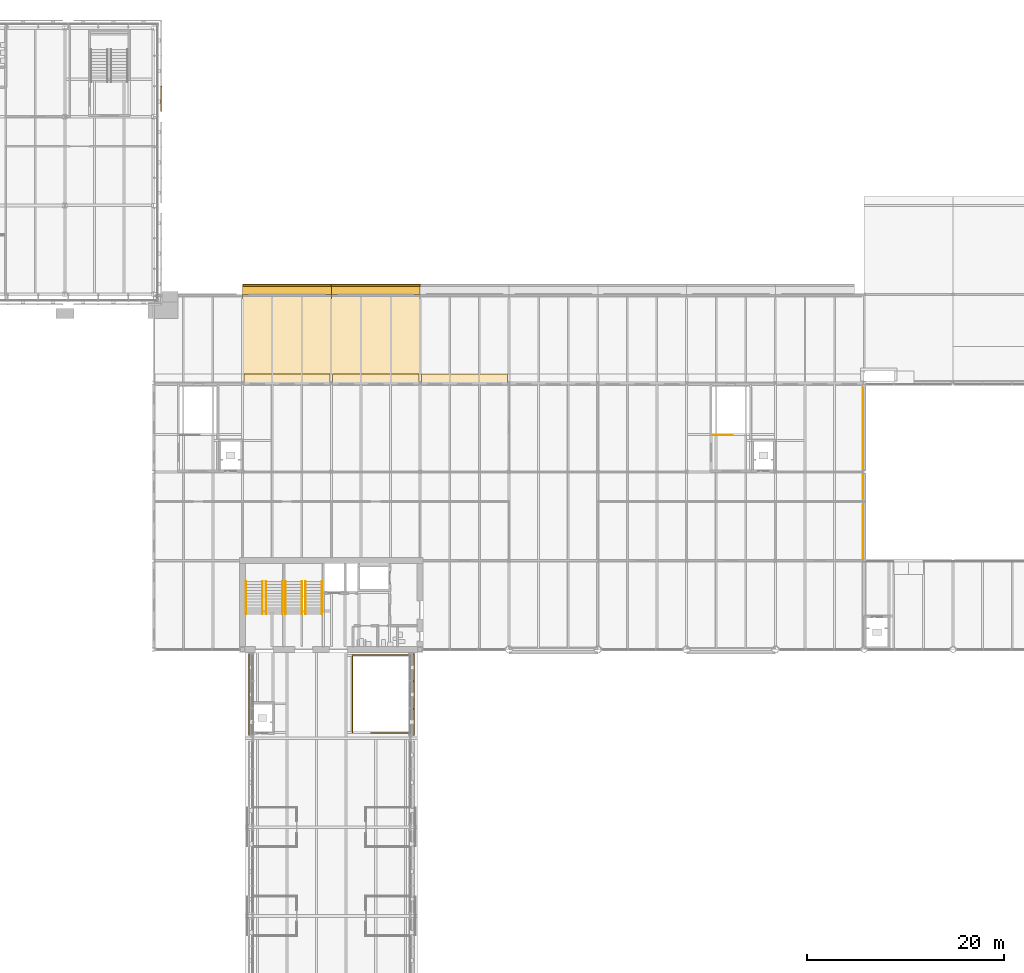
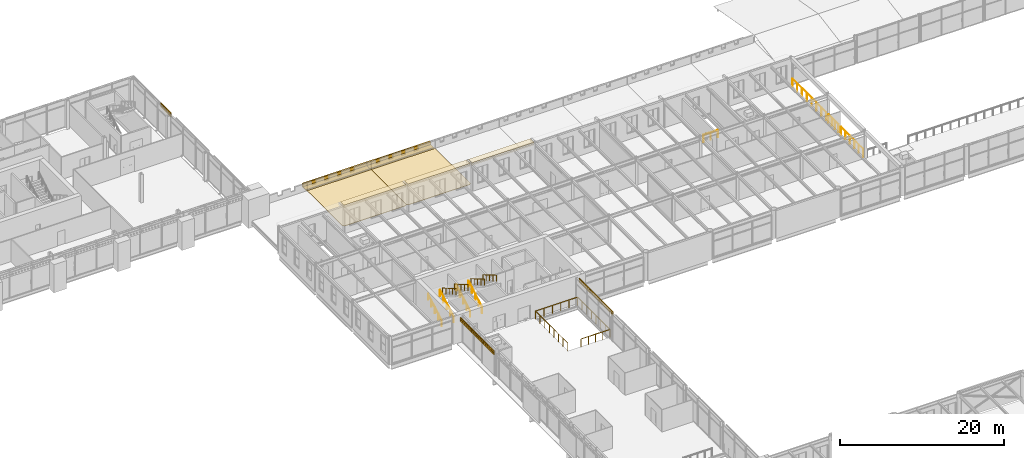
# One storey, part 104 of 123: 13 railings, 9 shading devices, 7 coverings.
"""IFC4 building model written with IfcOpenShell, lengths in metres."""

from ifc_helpers import new_model, si_unit, direction, frame, origin, origin_2d, place, context, subcontext, project, spatial, polyline, rectangle, circle, outline, extrude, material, layer, layer_set, type_object, element, save


model = new_model("IFC4")

# Units and contexts
model_context = context("Model", 3, precision=1e-05, world=origin(), true_north=direction((0.0, 1.0)))
body_context = subcontext(model_context, "Body", "Model", "MODEL_VIEW")
ifc_project = project(units=[si_unit("LENGTHUNIT", "METRE"), si_unit("AREAUNIT", "SQUARE_METRE"), si_unit("VOLUMEUNIT", "CUBIC_METRE"), si_unit("PLANEANGLEUNIT", "RADIAN"), si_unit("MASSUNIT", "GRAM", prefix="KILO")], contexts=[model_context])

# Site, building, storey
site_placement = place(None, origin())
site = spatial("IfcSite", under=ifc_project, at=site_placement, CompositionType="ELEMENT")
building_placement = place(site_placement, origin())
building = spatial("IfcBuilding", under=site, at=building_placement, Name="Baradari Gate Terminus", CompositionType="ELEMENT")
storey_placement = place(building_placement, frame((0.0, 0.0, 7.5)))
storey = spatial("IfcBuildingStorey", under=building, at=storey_placement, Name="L01", CompositionType="ELEMENT", Elevation=7.5)

# Coverings
ifc_material_1 = material(Name="Reconstituted stone cladding", Category="masonry")
ifc_layer_1 = layer(ifc_material_1, 0.199951171875)
ifc_layer_set_1 = layer_set([ifc_layer_1], Name="Reconstituted stone cladding")
covering_type_1 = type_object("IfcCoveringType", Name="Canopy chhajja fascia CF-1 450", PredefinedType="CLADDING", material=ifc_layer_set_1)
for number, where, z_axis, x_axis, name in (
    (1, (76.5, 117.89990234375, 0.89990234375), (0.0, 0.0, 1.0), (1.0, 0.0, 0.0), "Canopy chhajja fascia CF-1 C02"),
    (2, (85.5, 117.89990234375, 0.89990234375), (0.0, 0.0, 1.0), (1.0, 0.0, 0.0), "Canopy chhajja fascia CF-1 C03"),
):
    element("IfcCovering", number, at=place(storey_placement, frame(where, z_axis=z_axis, x_axis=x_axis)), inside=storey, type_object=covering_type_1, Name=name, PredefinedType="CLADDING", context=body_context, shape_type="SweptSolid", body=[
        extrude(rectangle(XDim=9.0, YDim=0.199951171875, at=origin_2d()), origin(), (0.0, 0.0, 1.0), 0.449951171875),
    ])

# Shading devices
ifc_material_2 = material(Name="Concrete C40/50 precast", Category="concrete")
ifc_layer_2 = layer(ifc_material_2, 0.14990234375)
ifc_layer_set_2 = layer_set([ifc_layer_2], Name="Concrete C40/50 precast")
shading_device_type_1 = type_object("IfcShadingDeviceType", Name="Chhajja eave CJ-2 1000x150", PredefinedType="AWNING", material=ifc_layer_set_2)
for number, where, z_axis, x_axis, name in (
    (3, (76.5, 117.5, 0.75), (0.0, 0.0, 1.0), (1.0, 0.0, 0.0), "Chhajja eave CJ-1 C bay 2"),
    (4, (85.5, 117.5, 0.75), (0.0, 0.0, 1.0), (1.0, 0.0, 0.0), "Chhajja eave CJ-1 C bay 3"),
):
    element("IfcShadingDevice", number, at=place(storey_placement, frame(where, z_axis=z_axis, x_axis=x_axis)), inside=storey, type_object=shading_device_type_1, Name=name, PredefinedType="AWNING", context=body_context, shape_type="SweptSolid", body=[
        extrude(rectangle(XDim=9.0, YDim=1.0, at=origin_2d()), origin(), (0.0, 0.0, 1.0), 0.14990234375),
    ])

# Railings
ifc_material_3 = material(Name="Stainless steel 1.4301", Category="steel")
railing_type_1 = type_object("IfcRailingType", Name="Guard GR-1 1100", PredefinedType="GUARDRAIL", material=ifc_material_3)
railing_1_placement = place(storey_placement, frame((119.64990234375, 102.75, 0.0)))
element("IfcRailing", 5, at=railing_1_placement, inside=storey, type_object=railing_type_1, Name="Stair guard ST-H2 at L01 top landing", PredefinedType="GUARDRAIL", context=body_context, shape_type="SweptSolid", body=[
    extrude(circle(Radius=0.02392578125, at=origin_2d()), frame((0.0, 0.0, 1.076171875), z_axis=(1.0, 0.0, 0.0), x_axis=(0.0, 1.0, 0.0)), (0.0, 0.0, 1.0), 2.010009765625),
    extrude(circle(Radius=0.02099609375, at=origin_2d()), origin(), (0.0, 0.0, 1.0), 1.052001953125),
    extrude(circle(Radius=0.02099609375, at=origin_2d()), frame((1.0048828125, 0.0, 0.0)), (0.0, 0.0, 1.0), 1.052001953125),
    extrude(circle(Radius=0.02099609375, at=origin_2d()), frame((2.010009765625, 0.0, 0.0)), (0.0, 0.0, 1.0), 1.052001953125),
])
ifc_material_4 = material(Name="Stainless steel 1.4301", Category="steel")
railing_type_2 = type_object("IfcRailingType", Name="Guard GR-2 1200", PredefinedType="GUARDRAIL", material=ifc_material_4)
railing_2_placement = place(storey_placement, frame((83.14990234375, 72.60009765625, 0.0)))
element("IfcRailing", 6, at=railing_2_placement, inside=storey, type_object=railing_type_2, Name="Guard round the stair opening PS-2 at L01", PredefinedType="GUARDRAIL", context=body_context, shape_type="SweptSolid", body=[
    extrude(circle(Radius=0.02392578125, at=origin_2d()), frame((0.0, 0.0, 1.17578125), z_axis=(0.0, 1.0, 0.0), x_axis=(-1.0, 0.0, 0.0)), (0.0, 0.0, 1.0), 7.849853515625),
    extrude(circle(Radius=0.02392578125, at=origin_2d()), frame((0.0, 7.849853515625, 1.17578125), z_axis=(1.0, 0.0, 0.0), x_axis=(0.0, 1.0, 0.0)), (0.0, 0.0, 1.0), 5.900146484375),
    extrude(circle(Radius=0.02392578125, at=origin_2d()), frame((5.900146484375, 7.849853515625, 1.17578125), z_axis=(0.0, -1.0, 0.0), x_axis=(1.0, 0.0, 0.0)), (0.0, 0.0, 1.0), 7.89990234375),
    extrude(circle(Radius=0.02392578125, at=origin_2d()), frame((5.900146484375, -0.050048828125, 1.17578125), z_axis=(-1.0, 0.0, 0.0), x_axis=(0.0, -1.0, 0.0)), (0.0, 0.0, 1.0), 4.050048828125),
    extrude(circle(Radius=0.02099609375, at=origin_2d()), origin(), (0.0, 0.0, 1.0), 1.15185546875),
    extrude(circle(Radius=0.02099609375, at=origin_2d()), frame((0.0, 1.121337890625, 0.0)), (0.0, 0.0, 1.0), 1.15185546875),
    extrude(circle(Radius=0.02099609375, at=origin_2d()), frame((0.0, 2.242919921875, 0.0)), (0.0, 0.0, 1.0), 1.15185546875),
    extrude(circle(Radius=0.02099609375, at=origin_2d()), frame((0.0, 3.3642578125, 0.0)), (0.0, 0.0, 1.0), 1.15185546875),
    extrude(circle(Radius=0.02099609375, at=origin_2d()), frame((0.0, 4.485595703125, 0.0)), (0.0, 0.0, 1.0), 1.15185546875),
    extrude(circle(Radius=0.02099609375, at=origin_2d()), frame((0.0, 5.60693359375, 0.0)), (0.0, 0.0, 1.0), 1.15185546875),
    extrude(circle(Radius=0.02099609375, at=origin_2d()), frame((0.0, 6.728515625, 0.0)), (0.0, 0.0, 1.0), 1.15185546875),
    extrude(circle(Radius=0.02099609375, at=origin_2d()), frame((0.0, 7.849853515625, 0.0)), (0.0, 0.0, 1.0), 1.15185546875),
    extrude(circle(Radius=0.02099609375, at=origin_2d()), frame((1.179931640625, 7.849853515625, 0.0)), (0.0, 0.0, 1.0), 1.15185546875),
    extrude(circle(Radius=0.02099609375, at=origin_2d()), frame((2.360107421875, 7.849853515625, 0.0)), (0.0, 0.0, 1.0), 1.15185546875),
    extrude(circle(Radius=0.02099609375, at=origin_2d()), frame((3.5400390625, 7.849853515625, 0.0)), (0.0, 0.0, 1.0), 1.15185546875),
    extrude(circle(Radius=0.02099609375, at=origin_2d()), frame((4.72021484375, 7.849853515625, 0.0)), (0.0, 0.0, 1.0), 1.15185546875),
    extrude(circle(Radius=0.02099609375, at=origin_2d()), frame((5.900146484375, 7.849853515625, 0.0)), (0.0, 0.0, 1.0), 1.15185546875),
    extrude(circle(Radius=0.02099609375, at=origin_2d()), frame((5.900146484375, 6.72119140625, 0.0)), (0.0, 0.0, 1.0), 1.15185546875),
    extrude(circle(Radius=0.02099609375, at=origin_2d()), frame((5.900146484375, 5.5927734375, 0.0)), (0.0, 0.0, 1.0), 1.15185546875),
    extrude(circle(Radius=0.02099609375, at=origin_2d()), frame((5.900146484375, 4.464111328125, 0.0)), (0.0, 0.0, 1.0), 1.15185546875),
    extrude(circle(Radius=0.02099609375, at=origin_2d()), frame((5.900146484375, 3.335693359375, 0.0)), (0.0, 0.0, 1.0), 1.15185546875),
    extrude(circle(Radius=0.02099609375, at=origin_2d()), frame((5.900146484375, 2.20703125, 0.0)), (0.0, 0.0, 1.0), 1.15185546875),
    extrude(circle(Radius=0.02099609375, at=origin_2d()), frame((5.900146484375, 1.07861328125, 0.0)), (0.0, 0.0, 1.0), 1.15185546875),
    extrude(circle(Radius=0.02099609375, at=origin_2d()), frame((5.900146484375, -0.050048828125, 0.0)), (0.0, 0.0, 1.0), 1.15185546875),
    extrude(circle(Radius=0.02099609375, at=origin_2d()), frame((4.8876953125, -0.050048828125, 0.0)), (0.0, 0.0, 1.0), 1.15185546875),
    extrude(circle(Radius=0.02099609375, at=origin_2d()), frame((3.875, -0.050048828125, 0.0)), (0.0, 0.0, 1.0), 1.15185546875),
    extrude(circle(Radius=0.02099609375, at=origin_2d()), frame((2.862548828125, -0.050048828125, 0.0)), (0.0, 0.0, 1.0), 1.15185546875),
    extrude(circle(Radius=0.02099609375, at=origin_2d()), frame((1.85009765625, -0.050048828125, 0.0)), (0.0, 0.0, 1.0), 1.15185546875),
])
railing_3_placement = place(storey_placement, frame((134.89990234375, 90.271728515625, 0.0)))
element("IfcRailing", 7, at=railing_3_placement, inside=storey, type_object=railing_type_2, Name="Ticket hall gallery guard 6", PredefinedType="GUARDRAIL", context=body_context, shape_type="SweptSolid", body=[
    extrude(circle(Radius=0.02392578125, at=origin_2d()), frame((0.0, 0.0, 1.17578125), z_axis=(0.0, 1.0, 0.0), x_axis=(-1.0, 0.0, 0.0)), (0.0, 0.0, 1.0), 5.415771484375),
    extrude(circle(Radius=0.02099609375, at=origin_2d()), origin(), (0.0, 0.0, 1.0), 1.15185546875),
    extrude(circle(Radius=0.02099609375, at=origin_2d()), frame((0.0, 1.083251953125, 0.0)), (0.0, 0.0, 1.0), 1.15185546875),
    extrude(circle(Radius=0.02099609375, at=origin_2d()), frame((0.0, 2.166259765625, 0.0)), (0.0, 0.0, 1.0), 1.15185546875),
    extrude(circle(Radius=0.02099609375, at=origin_2d()), frame((0.0, 3.24951171875, 0.0)), (0.0, 0.0, 1.0), 1.15185546875),
    extrude(circle(Radius=0.02099609375, at=origin_2d()), frame((0.0, 4.33251953125, 0.0)), (0.0, 0.0, 1.0), 1.15185546875),
    extrude(circle(Radius=0.02099609375, at=origin_2d()), frame((0.0, 5.415771484375, 0.0)), (0.0, 0.0, 1.0), 1.15185546875),
])
railing_4_placement = place(storey_placement, frame((134.89990234375, 96.3125, 0.0)))
element("IfcRailing", 8, at=railing_4_placement, inside=storey, type_object=railing_type_2, Name="Ticket hall gallery guard 7", PredefinedType="GUARDRAIL", context=body_context, shape_type="SweptSolid", body=[
    extrude(circle(Radius=0.02392578125, at=origin_2d()), frame((0.0, 0.0, 1.17578125), z_axis=(0.0, 1.0, 0.0), x_axis=(-1.0, 0.0, 0.0)), (0.0, 0.0, 1.0), 2.415771484375),
    extrude(circle(Radius=0.02099609375, at=origin_2d()), origin(), (0.0, 0.0, 1.0), 1.15185546875),
    extrude(circle(Radius=0.02099609375, at=origin_2d()), frame((0.0, 0.80517578125, 0.0)), (0.0, 0.0, 1.0), 1.15185546875),
    extrude(circle(Radius=0.02099609375, at=origin_2d()), frame((0.0, 1.610595703125, 0.0)), (0.0, 0.0, 1.0), 1.15185546875),
    extrude(circle(Radius=0.02099609375, at=origin_2d()), frame((0.0, 2.415771484375, 0.0)), (0.0, 0.0, 1.0), 1.15185546875),
])
railing_5_placement = place(storey_placement, frame((134.89990234375, 99.271728515625, 0.0)))
element("IfcRailing", 9, at=railing_5_placement, inside=storey, type_object=railing_type_2, Name="Ticket hall gallery guard 8", PredefinedType="GUARDRAIL", context=body_context, shape_type="SweptSolid", body=[
    extrude(circle(Radius=0.02392578125, at=origin_2d()), frame((0.0, 0.0, 1.17578125), z_axis=(0.0, 1.0, 0.0), x_axis=(-1.0, 0.0, 0.0)), (0.0, 0.0, 1.0), 8.2548828125),
    extrude(circle(Radius=0.02099609375, at=origin_2d()), origin(), (0.0, 0.0, 1.0), 1.15185546875),
    extrude(circle(Radius=0.02099609375, at=origin_2d()), frame((0.0, 1.17919921875, 0.0)), (0.0, 0.0, 1.0), 1.15185546875),
    extrude(circle(Radius=0.02099609375, at=origin_2d()), frame((0.0, 2.358642578125, 0.0)), (0.0, 0.0, 1.0), 1.15185546875),
    extrude(circle(Radius=0.02099609375, at=origin_2d()), frame((0.0, 3.537841796875, 0.0)), (0.0, 0.0, 1.0), 1.15185546875),
    extrude(circle(Radius=0.02099609375, at=origin_2d()), frame((0.0, 4.717041015625, 0.0)), (0.0, 0.0, 1.0), 1.15185546875),
    extrude(circle(Radius=0.02099609375, at=origin_2d()), frame((0.0, 5.896240234375, 0.0)), (0.0, 0.0, 1.0), 1.15185546875),
    extrude(circle(Radius=0.02099609375, at=origin_2d()), frame((0.0, 7.07568359375, 0.0)), (0.0, 0.0, 1.0), 1.15185546875),
    extrude(circle(Radius=0.02099609375, at=origin_2d()), frame((0.0, 8.2548828125, 0.0)), (0.0, 0.0, 1.0), 1.15185546875),
])
ifc_material_5 = material(Name="Stainless steel 1.4301", Category="steel")
railing_type_3 = type_object("IfcRailingType", Name="Handrail HR-1 900", PredefinedType="HANDRAIL", material=ifc_material_5)
for number, where, name in (
    (10, (72.360107421875, 84.60009765625, 0.175048828125), "Handrail ST-GN1 L01 flight 1"),
    (11, (74.0400390625, 84.60009765625, 0.175048828125), "Handrail ST-GN1 L01 flight 1"),
):
    element("IfcRailing", number, at=place(storey_placement, frame(where)), inside=storey, type_object=railing_type_3, Name=name, PredefinedType="HANDRAIL", context=body_context, shape_type="SweptSolid", body=[
        extrude(circle(Radius=0.02392578125, at=origin_2d()), frame((0.0, 0.0, 0.8759765625), z_axis=(0.0, 0.863760357493, 0.503902812876), x_axis=(-1.0, 0.0, 0.0)), (0.0, 0.0, 1.0), 3.8203125),
        extrude(circle(Radius=0.02099609375, at=origin_2d()), origin(), (0.0, 0.0, 1.0), 0.851806640625),
        extrude(circle(Radius=0.02099609375, at=origin_2d()), frame((0.0, 0.824951171875, 0.481201171875)), (0.0, 0.0, 1.0), 0.851806640625),
        extrude(circle(Radius=0.02099609375, at=origin_2d()), frame((0.0, 1.64990234375, 0.96240234375)), (0.0, 0.0, 1.0), 0.851806640625),
        extrude(circle(Radius=0.02099609375, at=origin_2d()), frame((0.0, 2.474853515625, 1.44384765625)), (0.0, 0.0, 1.0), 0.851806640625),
        extrude(circle(Radius=0.02099609375, at=origin_2d()), frame((0.0, 3.2998046875, 1.925048828125)), (0.0, 0.0, 1.0), 0.851806640625),
    ])
for number, where, name in (
    (12, (74.360107421875, 87.89990234375, 2.27490234375), "Handrail ST-GN1 L01 flight 2"),
    (13, (76.0400390625, 87.89990234375, 2.27490234375), "Handrail ST-GN1 L01 flight 2"),
):
    element("IfcRailing", number, at=place(storey_placement, frame(where)), inside=storey, type_object=railing_type_3, Name=name, PredefinedType="HANDRAIL", context=body_context, shape_type="SweptSolid", body=[
        extrude(circle(Radius=0.02392578125, at=origin_2d()), frame((0.0, 0.0, 0.8759765625), z_axis=(0.0, -0.863760357493, 0.503902812876), x_axis=(1.0, 0.0, 0.0)), (0.0, 0.0, 1.0), 3.8203125),
        extrude(circle(Radius=0.02099609375, at=origin_2d()), origin(), (0.0, 0.0, 1.0), 0.851806640625),
        extrude(circle(Radius=0.02099609375, at=origin_2d()), frame((0.0, -0.824951171875, 0.481201171875)), (0.0, 0.0, 1.0), 0.851806640625),
        extrude(circle(Radius=0.02099609375, at=origin_2d()), frame((0.0, -1.64990234375, 0.96240234375)), (0.0, 0.0, 1.0), 0.851806640625),
        extrude(circle(Radius=0.02099609375, at=origin_2d()), frame((0.0, -2.474853515625, 1.44384765625)), (0.0, 0.0, 1.0), 0.851806640625),
        extrude(circle(Radius=0.02099609375, at=origin_2d()), frame((0.0, -3.2998046875, 1.925048828125)), (0.0, 0.0, 1.0), 0.851806640625),
    ])
for number, where, name in (
    (14, (76.360107421875, 84.60009765625, 0.175048828125), "Handrail ST-GN2 L01 flight 1"),
    (15, (78.0400390625, 84.60009765625, 0.175048828125), "Handrail ST-GN2 L01 flight 1"),
):
    element("IfcRailing", number, at=place(storey_placement, frame(where)), inside=storey, type_object=railing_type_3, Name=name, PredefinedType="HANDRAIL", context=body_context, shape_type="SweptSolid", body=[
        extrude(circle(Radius=0.02392578125, at=origin_2d()), frame((0.0, 0.0, 0.8759765625), z_axis=(0.0, 0.863760357493, 0.503902812876), x_axis=(-1.0, 0.0, 0.0)), (0.0, 0.0, 1.0), 3.8203125),
        extrude(circle(Radius=0.02099609375, at=origin_2d()), origin(), (0.0, 0.0, 1.0), 0.851806640625),
        extrude(circle(Radius=0.02099609375, at=origin_2d()), frame((0.0, 0.824951171875, 0.481201171875)), (0.0, 0.0, 1.0), 0.851806640625),
        extrude(circle(Radius=0.02099609375, at=origin_2d()), frame((0.0, 1.64990234375, 0.96240234375)), (0.0, 0.0, 1.0), 0.851806640625),
        extrude(circle(Radius=0.02099609375, at=origin_2d()), frame((0.0, 2.474853515625, 1.44384765625)), (0.0, 0.0, 1.0), 0.851806640625),
        extrude(circle(Radius=0.02099609375, at=origin_2d()), frame((0.0, 3.2998046875, 1.925048828125)), (0.0, 0.0, 1.0), 0.851806640625),
    ])
for number, where, name in (
    (16, (78.360107421875, 87.89990234375, 2.27490234375), "Handrail ST-GN2 L01 flight 2"),
    (17, (80.0400390625, 87.89990234375, 2.27490234375), "Handrail ST-GN2 L01 flight 2"),
):
    element("IfcRailing", number, at=place(storey_placement, frame(where)), inside=storey, type_object=railing_type_3, Name=name, PredefinedType="HANDRAIL", context=body_context, shape_type="SweptSolid", body=[
        extrude(circle(Radius=0.02392578125, at=origin_2d()), frame((0.0, 0.0, 0.8759765625), z_axis=(0.0, -0.863760357493, 0.503902812876), x_axis=(1.0, 0.0, 0.0)), (0.0, 0.0, 1.0), 3.8203125),
        extrude(circle(Radius=0.02099609375, at=origin_2d()), origin(), (0.0, 0.0, 1.0), 0.851806640625),
        extrude(circle(Radius=0.02099609375, at=origin_2d()), frame((0.0, -0.824951171875, 0.481201171875)), (0.0, 0.0, 1.0), 0.851806640625),
        extrude(circle(Radius=0.02099609375, at=origin_2d()), frame((0.0, -1.64990234375, 0.96240234375)), (0.0, 0.0, 1.0), 0.851806640625),
        extrude(circle(Radius=0.02099609375, at=origin_2d()), frame((0.0, -2.474853515625, 1.44384765625)), (0.0, 0.0, 1.0), 0.851806640625),
        extrude(circle(Radius=0.02099609375, at=origin_2d()), frame((0.0, -3.2998046875, 1.925048828125)), (0.0, 0.0, 1.0), 0.851806640625),
    ])

# Shading devices
ifc_material_6 = material(Name="Concrete C50/60 precast", Category="concrete")
ifc_layer_3 = layer(ifc_material_6, 0.10009765625)
ifc_layer_set_3 = layer_set([ifc_layer_3], Name="Concrete C50/60 precast")
shading_device_type_2 = type_object("IfcShadingDeviceType", Name="Jali screen panel JS-1 100", PredefinedType="SHUTTER", material=ifc_layer_set_3)
shading_device_1_placement = place(storey_placement, frame((63.7451171875, 135.556640625, 3.4326171875), z_axis=(0.0, 0.0, 1.0), x_axis=(0.0, 1.0, 0.0)))
element("IfcShadingDevice", 18, at=shading_device_1_placement, inside=storey, type_object=shading_device_type_2, Name="Jali screen panel JS-1 L01/TE bay 7", PredefinedType="SHUTTER", context=body_context, shape_type="SweptSolid", body=[
    extrude(outline(polyline([(0.0, 0.0), (2.517822265625, 0.0), (2.517822265625, 0.599853515625), (0.0, 0.599853515625), (0.0, 0.0)]), holes=[polyline([(0.33984375, 0.2998046875), (0.27490234375, 0.187255859375), (0.144775390625, 0.187255859375), (0.079833984375, 0.2998046875), (0.144775390625, 0.412353515625), (0.27490234375, 0.412353515625), (0.33984375, 0.2998046875)]), polyline([(0.759521484375, 0.2998046875), (0.6943359375, 0.187255859375), (0.564453125, 0.187255859375), (0.49951171875, 0.2998046875), (0.564453125, 0.412353515625), (0.6943359375, 0.412353515625), (0.759521484375, 0.2998046875)]), polyline([(1.178955078125, 0.2998046875), (1.114013671875, 0.187255859375), (0.984130859375, 0.187255859375), (0.919189453125, 0.2998046875), (0.984130859375, 0.412353515625), (1.114013671875, 0.412353515625), (1.178955078125, 0.2998046875)]), polyline([(1.5986328125, 0.2998046875), (1.53369140625, 0.187255859375), (1.40380859375, 0.187255859375), (1.338623046875, 0.2998046875), (1.40380859375, 0.412353515625), (1.53369140625, 0.412353515625), (1.5986328125, 0.2998046875)]), polyline([(2.018310546875, 0.2998046875), (1.953369140625, 0.187255859375), (1.8232421875, 0.187255859375), (1.75830078125, 0.2998046875), (1.8232421875, 0.412353515625), (1.953369140625, 0.412353515625), (2.018310546875, 0.2998046875)]), polyline([(2.43798828125, 0.2998046875), (2.373046875, 0.187255859375), (2.242919921875, 0.187255859375), (2.177978515625, 0.2998046875), (2.242919921875, 0.412353515625), (2.373046875, 0.412353515625), (2.43798828125, 0.2998046875)])]), frame((0.0, 0.050048828125, 0.0), z_axis=(0.0, -1.0, 0.0), x_axis=(1.0, 0.0, 0.0)), (0.0, 0.0, 1.0), 0.10009765625),
])
ifc_material_7 = material(Name="Concrete C50/60 precast", Category="concrete")
ifc_layer_4 = layer(ifc_material_7, 0.080078125)
ifc_layer_set_4 = layer_set([ifc_layer_4], Name="Concrete C50/60 precast")
shading_device_type_3 = type_object("IfcShadingDeviceType", Name="Jali screen panel JS-3 80", PredefinedType="SHUTTER", material=ifc_layer_set_4)
shading_device_2_placement = place(storey_placement, frame((72.6474609375, 72.300048828125, 3.27490234375), z_axis=(0.0, 0.0, 1.0), x_axis=(0.0, 1.0, 0.0)))
element("IfcShadingDevice", 19, at=shading_device_2_placement, inside=storey, type_object=shading_device_type_3, Name="Jali screen panel JS-1 L01/GW5 bay 1", PredefinedType="SHUTTER", context=body_context, shape_type="SweptSolid", body=[
    extrude(outline(polyline([(0.0, 0.0), (2.71337890625, 0.0), (2.71337890625, 0.60009765625), (0.0, 0.60009765625), (0.0, 0.0)]), holes=[polyline([(0.356201171875, 0.300048828125), (0.291015625, 0.1875), (0.1611328125, 0.1875), (0.09619140625, 0.300048828125), (0.1611328125, 0.41259765625), (0.291015625, 0.41259765625), (0.356201171875, 0.300048828125)]), polyline([(0.808349609375, 0.300048828125), (0.743408203125, 0.1875), (0.61328125, 0.1875), (0.54833984375, 0.300048828125), (0.61328125, 0.41259765625), (0.743408203125, 0.41259765625), (0.808349609375, 0.300048828125)]), polyline([(1.260498046875, 0.300048828125), (1.195556640625, 0.1875), (1.065673828125, 0.1875), (1.00048828125, 0.300048828125), (1.065673828125, 0.41259765625), (1.195556640625, 0.41259765625), (1.260498046875, 0.300048828125)]), polyline([(1.712890625, 0.300048828125), (1.647705078125, 0.1875), (1.517822265625, 0.1875), (1.452880859375, 0.300048828125), (1.517822265625, 0.41259765625), (1.647705078125, 0.41259765625), (1.712890625, 0.300048828125)]), polyline([(2.1650390625, 0.300048828125), (2.10009765625, 0.1875), (1.969970703125, 0.1875), (1.905029296875, 0.300048828125), (1.969970703125, 0.41259765625), (2.10009765625, 0.41259765625), (2.1650390625, 0.300048828125)]), polyline([(2.6171875, 0.300048828125), (2.55224609375, 0.1875), (2.422119140625, 0.1875), (2.357177734375, 0.300048828125), (2.422119140625, 0.41259765625), (2.55224609375, 0.41259765625), (2.6171875, 0.300048828125)])]), frame((0.0, 0.0400390625, 0.0), z_axis=(0.0, -1.0, 0.0), x_axis=(1.0, 0.0, 0.0)), (0.0, 0.0, 1.0), 0.080078125),
])
shading_device_3_placement = place(storey_placement, frame((72.6474609375, 75.05322265625, 3.27490234375), z_axis=(0.0, 0.0, 1.0), x_axis=(0.0, 1.0, 0.0)))
element("IfcShadingDevice", 20, at=shading_device_3_placement, inside=storey, type_object=shading_device_type_3, Name="Jali screen panel JS-1 L01/GW5 bay 2", PredefinedType="SHUTTER", context=body_context, shape_type="SweptSolid", body=[
    extrude(outline(polyline([(0.0, 0.0), (2.743408203125, 0.0), (2.743408203125, 0.60009765625), (0.0, 0.60009765625), (0.0, 0.0)]), holes=[polyline([(0.325927734375, 0.300048828125), (0.260986328125, 0.1875), (0.130859375, 0.1875), (0.06591796875, 0.300048828125), (0.130859375, 0.41259765625), (0.260986328125, 0.41259765625), (0.325927734375, 0.300048828125)]), polyline([(0.7177734375, 0.300048828125), (0.65283203125, 0.1875), (0.52294921875, 0.1875), (0.457763671875, 0.300048828125), (0.52294921875, 0.41259765625), (0.65283203125, 0.41259765625), (0.7177734375, 0.300048828125)]), polyline([(1.10986328125, 0.300048828125), (1.044677734375, 0.1875), (0.914794921875, 0.1875), (0.849853515625, 0.300048828125), (0.914794921875, 0.41259765625), (1.044677734375, 0.41259765625), (1.10986328125, 0.300048828125)]), polyline([(1.501708984375, 0.300048828125), (1.436767578125, 0.1875), (1.306640625, 0.1875), (1.24169921875, 0.300048828125), (1.306640625, 0.41259765625), (1.436767578125, 0.41259765625), (1.501708984375, 0.300048828125)]), polyline([(1.8935546875, 0.300048828125), (1.82861328125, 0.1875), (1.698486328125, 0.1875), (1.633544921875, 0.300048828125), (1.698486328125, 0.41259765625), (1.82861328125, 0.41259765625), (1.8935546875, 0.300048828125)]), polyline([(2.285400390625, 0.300048828125), (2.220458984375, 0.1875), (2.090576171875, 0.1875), (2.025390625, 0.300048828125), (2.090576171875, 0.41259765625), (2.220458984375, 0.41259765625), (2.285400390625, 0.300048828125)]), polyline([(2.677490234375, 0.300048828125), (2.6123046875, 0.1875), (2.482421875, 0.1875), (2.41748046875, 0.300048828125), (2.482421875, 0.41259765625), (2.6123046875, 0.41259765625), (2.677490234375, 0.300048828125)])]), frame((0.0, 0.0400390625, 0.0), z_axis=(0.0, -1.0, 0.0), x_axis=(1.0, 0.0, 0.0)), (0.0, 0.0, 1.0), 0.080078125),
])
for number, where, z_axis, x_axis, name in (
    (21, (72.6474609375, 77.836669921875, 3.27490234375), (0.0, 0.0, 1.0), (0.0, 1.0, 0.0), "Jali screen panel JS-1 L01/GW5 bay 3"),
    (22, (89.3525390625, 72.300048828125, 3.27490234375), (0.0, 0.0, 1.0), (0.0, 1.0, 0.0), "Jali screen panel JS-1 L01/GE5 bay 1"),
):
    element("IfcShadingDevice", number, at=place(storey_placement, frame(where, z_axis=z_axis, x_axis=x_axis)), inside=storey, type_object=shading_device_type_3, Name=name, PredefinedType="SHUTTER", context=body_context, shape_type="SweptSolid", body=[
        extrude(outline(polyline([(0.0, 0.0), (2.71337890625, 0.0), (2.71337890625, 0.60009765625), (0.0, 0.60009765625), (0.0, 0.0)]), holes=[polyline([(0.356201171875, 0.300048828125), (0.291015625, 0.1875), (0.1611328125, 0.1875), (0.09619140625, 0.300048828125), (0.1611328125, 0.41259765625), (0.291015625, 0.41259765625), (0.356201171875, 0.300048828125)]), polyline([(0.808349609375, 0.300048828125), (0.743408203125, 0.1875), (0.61328125, 0.1875), (0.54833984375, 0.300048828125), (0.61328125, 0.41259765625), (0.743408203125, 0.41259765625), (0.808349609375, 0.300048828125)]), polyline([(1.260498046875, 0.300048828125), (1.195556640625, 0.1875), (1.065673828125, 0.1875), (1.00048828125, 0.300048828125), (1.065673828125, 0.41259765625), (1.195556640625, 0.41259765625), (1.260498046875, 0.300048828125)]), polyline([(1.712890625, 0.300048828125), (1.647705078125, 0.1875), (1.517822265625, 0.1875), (1.452880859375, 0.300048828125), (1.517822265625, 0.41259765625), (1.647705078125, 0.41259765625), (1.712890625, 0.300048828125)]), polyline([(2.1650390625, 0.300048828125), (2.10009765625, 0.1875), (1.969970703125, 0.1875), (1.905029296875, 0.300048828125), (1.969970703125, 0.41259765625), (2.10009765625, 0.41259765625), (2.1650390625, 0.300048828125)]), polyline([(2.6171875, 0.300048828125), (2.55224609375, 0.1875), (2.422119140625, 0.1875), (2.357177734375, 0.300048828125), (2.422119140625, 0.41259765625), (2.55224609375, 0.41259765625), (2.6171875, 0.300048828125)])]), frame((0.0, 0.0400390625, 0.0), z_axis=(0.0, -1.0, 0.0), x_axis=(1.0, 0.0, 0.0)), (0.0, 0.0, 1.0), 0.080078125),
    ])
shading_device_4_placement = place(storey_placement, frame((89.3525390625, 75.05322265625, 3.27490234375), z_axis=(0.0, 0.0, 1.0), x_axis=(0.0, 1.0, 0.0)))
element("IfcShadingDevice", 23, at=shading_device_4_placement, inside=storey, type_object=shading_device_type_3, Name="Jali screen panel JS-1 L01/GE5 bay 2", PredefinedType="SHUTTER", context=body_context, shape_type="SweptSolid", body=[
    extrude(outline(polyline([(0.0, 0.0), (2.743408203125, 0.0), (2.743408203125, 0.60009765625), (0.0, 0.60009765625), (0.0, 0.0)]), holes=[polyline([(0.325927734375, 0.300048828125), (0.260986328125, 0.1875), (0.130859375, 0.1875), (0.06591796875, 0.300048828125), (0.130859375, 0.41259765625), (0.260986328125, 0.41259765625), (0.325927734375, 0.300048828125)]), polyline([(0.7177734375, 0.300048828125), (0.65283203125, 0.1875), (0.52294921875, 0.1875), (0.457763671875, 0.300048828125), (0.52294921875, 0.41259765625), (0.65283203125, 0.41259765625), (0.7177734375, 0.300048828125)]), polyline([(1.10986328125, 0.300048828125), (1.044677734375, 0.1875), (0.914794921875, 0.1875), (0.849853515625, 0.300048828125), (0.914794921875, 0.41259765625), (1.044677734375, 0.41259765625), (1.10986328125, 0.300048828125)]), polyline([(1.501708984375, 0.300048828125), (1.436767578125, 0.1875), (1.306640625, 0.1875), (1.24169921875, 0.300048828125), (1.306640625, 0.41259765625), (1.436767578125, 0.41259765625), (1.501708984375, 0.300048828125)]), polyline([(1.8935546875, 0.300048828125), (1.82861328125, 0.1875), (1.698486328125, 0.1875), (1.633544921875, 0.300048828125), (1.698486328125, 0.41259765625), (1.82861328125, 0.41259765625), (1.8935546875, 0.300048828125)]), polyline([(2.285400390625, 0.300048828125), (2.220458984375, 0.1875), (2.090576171875, 0.1875), (2.025390625, 0.300048828125), (2.090576171875, 0.41259765625), (2.220458984375, 0.41259765625), (2.285400390625, 0.300048828125)]), polyline([(2.677490234375, 0.300048828125), (2.6123046875, 0.1875), (2.482421875, 0.1875), (2.41748046875, 0.300048828125), (2.482421875, 0.41259765625), (2.6123046875, 0.41259765625), (2.677490234375, 0.300048828125)])]), frame((0.0, 0.0400390625, 0.0), z_axis=(0.0, -1.0, 0.0), x_axis=(1.0, 0.0, 0.0)), (0.0, 0.0, 1.0), 0.080078125),
])
shading_device_5_placement = place(storey_placement, frame((89.3525390625, 77.836669921875, 3.27490234375), z_axis=(0.0, 0.0, 1.0), x_axis=(0.0, 1.0, 0.0)))
element("IfcShadingDevice", 24, at=shading_device_5_placement, inside=storey, type_object=shading_device_type_3, Name="Jali screen panel JS-1 L01/GE5 bay 3", PredefinedType="SHUTTER", context=body_context, shape_type="SweptSolid", body=[
    extrude(outline(polyline([(0.0, 0.0), (2.71337890625, 0.0), (2.71337890625, 0.60009765625), (0.0, 0.60009765625), (0.0, 0.0)]), holes=[polyline([(0.356201171875, 0.300048828125), (0.291015625, 0.1875), (0.1611328125, 0.1875), (0.09619140625, 0.300048828125), (0.1611328125, 0.41259765625), (0.291015625, 0.41259765625), (0.356201171875, 0.300048828125)]), polyline([(0.808349609375, 0.300048828125), (0.743408203125, 0.1875), (0.61328125, 0.1875), (0.54833984375, 0.300048828125), (0.61328125, 0.41259765625), (0.743408203125, 0.41259765625), (0.808349609375, 0.300048828125)]), polyline([(1.260498046875, 0.300048828125), (1.195556640625, 0.1875), (1.065673828125, 0.1875), (1.00048828125, 0.300048828125), (1.065673828125, 0.41259765625), (1.195556640625, 0.41259765625), (1.260498046875, 0.300048828125)]), polyline([(1.712890625, 0.300048828125), (1.647705078125, 0.1875), (1.517822265625, 0.1875), (1.452880859375, 0.300048828125), (1.517822265625, 0.41259765625), (1.647705078125, 0.41259765625), (1.712890625, 0.300048828125)]), polyline([(2.1650390625, 0.300048828125), (2.10009765625, 0.1875), (1.969970703125, 0.1875), (1.905029296875, 0.300048828125), (1.969970703125, 0.41259765625), (2.10009765625, 0.41259765625), (2.1650390625, 0.300048828125)]), polyline([(2.6171875, 0.300048828125), (2.55224609375, 0.1875), (2.422119140625, 0.1875), (2.357177734375, 0.300048828125), (2.422119140625, 0.41259765625), (2.55224609375, 0.41259765625), (2.6171875, 0.300048828125)])]), frame((0.0, 0.0400390625, 0.0), z_axis=(0.0, -1.0, 0.0), x_axis=(1.0, 0.0, 0.0)), (0.0, 0.0, 1.0), 0.080078125),
])

# Coverings
ifc_material_8 = material(Name="Concrete C40/50", Category="concrete")
covering_type_2 = type_object("IfcCoveringType", Name="Precast cornice band", PredefinedType="CLADDING", material=ifc_material_8)
for number, where, z_axis, x_axis, name in (
    (25, (76.5, 108.45361328125, 3.650146484375), (0.0, 0.0, 1.0), (1.0, 0.0, 0.0), "RF/L01/CO-08"),
    (26, (85.5, 108.45361328125, 3.650146484375), (0.0, 0.0, 1.0), (1.0, 0.0, 0.0), "RF/L01/CO-09"),
    (27, (94.5, 108.45361328125, 3.650146484375), (0.0, 0.0, 1.0), (1.0, 0.0, 0.0), "RF/L01/CO-10"),
):
    element("IfcCovering", number, at=place(storey_placement, frame(where, z_axis=z_axis, x_axis=x_axis)), inside=storey, type_object=covering_type_2, Name=name, PredefinedType="CLADDING", context=body_context, shape_type="SweptSolid", body=[
        extrude(rectangle(XDim=8.74365234375, YDim=0.89990234375, at=origin_2d()), origin(), (0.0, 0.0, 1.0), 0.39990234375),
    ])
ifc_material_9 = material(Name="Terracotta roof tiles", Category="masonry")
ifc_layer_5 = layer(ifc_material_9, 0.06005859375)
ifc_layer_set_5 = layer_set([ifc_layer_5], Name="Terracotta roof tiles")
covering_type_3 = type_object("IfcCoveringType", Name="Terracotta roof tiles RT-1 60", PredefinedType="ROOFING", material=ifc_layer_set_5)
covering_1_placement = place(storey_placement, frame((0.0, 0.0, 0.89990234375)))
element("IfcCovering", 28, at=covering_1_placement, inside=storey, type_object=covering_type_3, Name="Terracotta roof tiles RT-1 C02", PredefinedType="ROOFING", context=body_context, shape_type="SweptSolid", body=[
    extrude(outline(polyline([(72.0, 117.0), (81.0, 117.0), (81.0, 108.130126953125), (80.871826171875, 108.130126953125), (80.871826171875, 108.00341796875), (72.128173828125, 108.00341796875), (72.128173828125, 108.130126953125), (72.0, 108.130126953125), (72.0, 117.0)]), holes=[polyline([(80.949951171875, 116.949951171875), (72.050048828125, 116.949951171875), (72.050048828125, 116.75), (80.949951171875, 116.75), (80.949951171875, 116.949951171875)])]), origin(), (0.0, 0.0, 1.0), 0.06005859375),
])
covering_2_placement = place(storey_placement, frame((0.0, 0.0, 0.89990234375)))
element("IfcCovering", 29, at=covering_2_placement, inside=storey, type_object=covering_type_3, Name="Terracotta roof tiles RT-1 C03", PredefinedType="ROOFING", context=body_context, shape_type="SweptSolid", body=[
    extrude(outline(polyline([(81.0, 117.0), (90.0, 117.0), (90.0, 108.130126953125), (89.871826171875, 108.130126953125), (89.871826171875, 108.00341796875), (81.128173828125, 108.00341796875), (81.128173828125, 108.130126953125), (81.0, 108.130126953125), (81.0, 117.0)]), holes=[polyline([(89.949951171875, 116.75), (89.949951171875, 116.949951171875), (81.050048828125, 116.949951171875), (81.050048828125, 116.75), (89.949951171875, 116.75)])]), origin(), (0.0, 0.0, 1.0), 0.06005859375),
])

save(model, "model.ifc")
